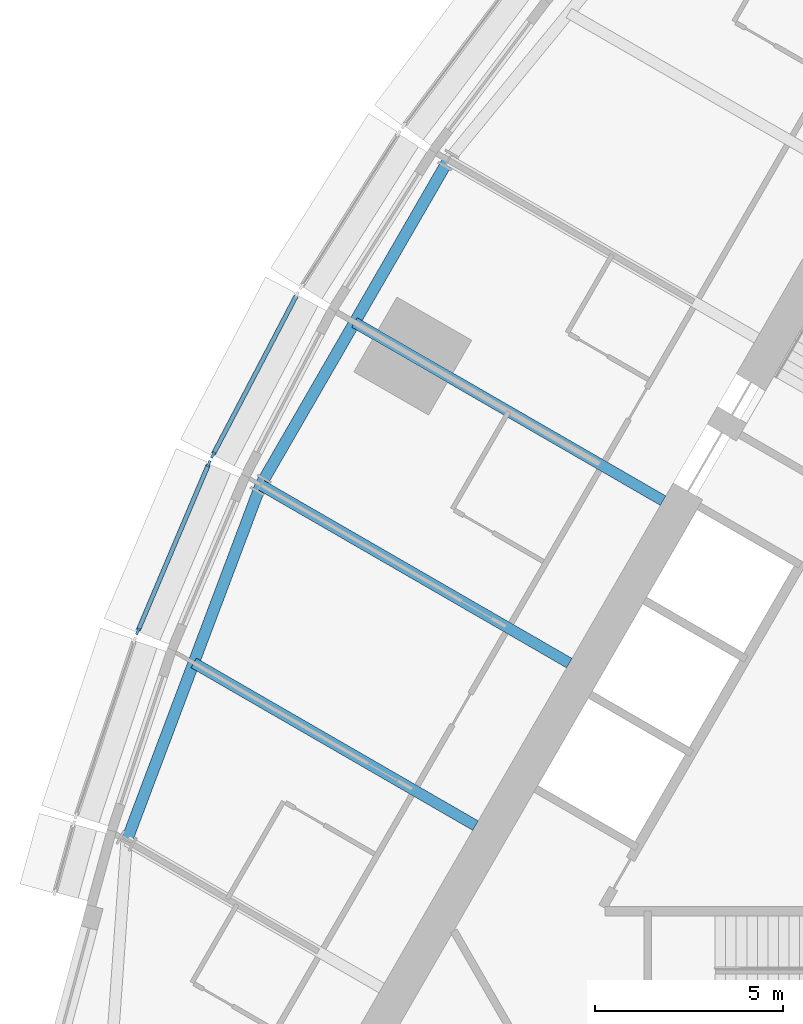
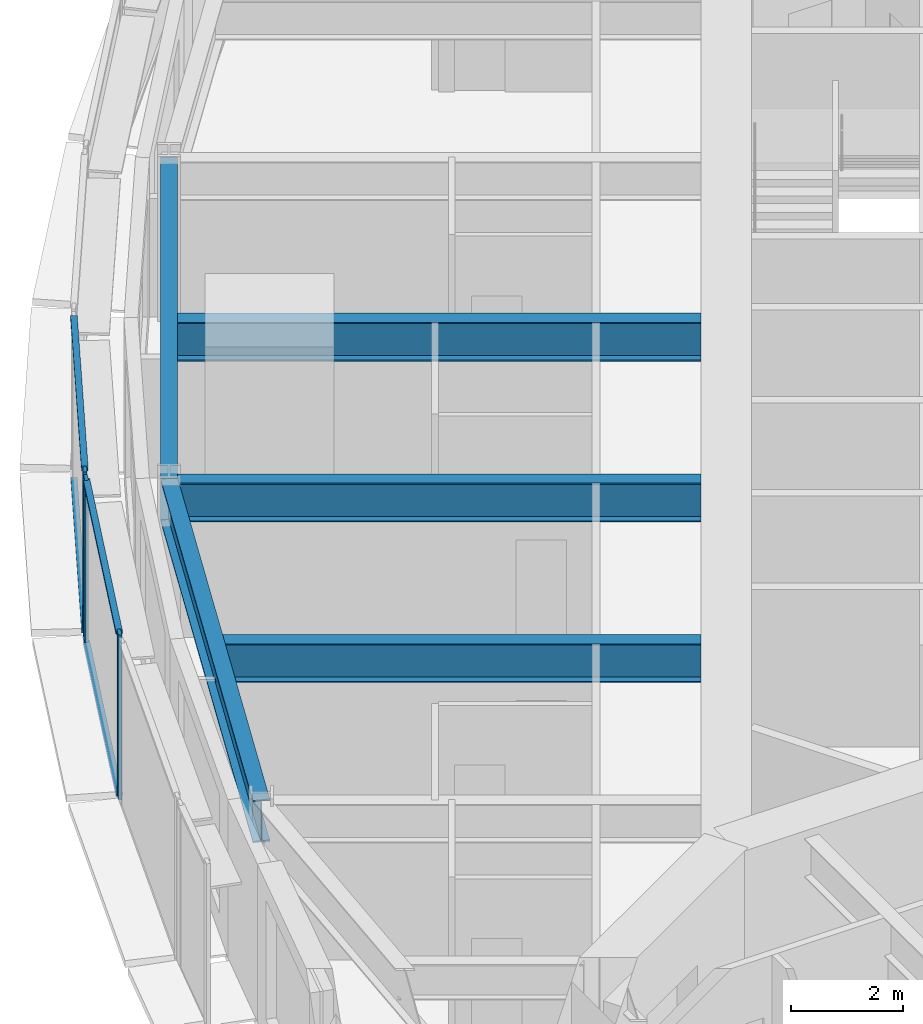
# One storey, part 3 of 15: 7 members, 5 beams, 2 elements without a shape of their own.
"""IFC4 building model written with IfcOpenShell, lengths in metres."""

from ifc_helpers import new_model, si_unit, direction, frame, origin, origin_2d, place, context, subcontext, project, spatial, rectangle, i_section, extrude, material, material_profile, profile_set, type_object, element, aggregate, save


model = new_model("IFC4")

# Units and contexts
model_context = context("Model", 3, precision=1e-05, world=origin(), true_north=direction((0.0, 1.0)))
body_context = subcontext(model_context, "Body", "Model", "MODEL_VIEW")
ifc_project = project(units=[si_unit("LENGTHUNIT", "METRE"), si_unit("AREAUNIT", "SQUARE_METRE"), si_unit("VOLUMEUNIT", "CUBIC_METRE"), si_unit("PLANEANGLEUNIT", "RADIAN"), si_unit("MASSUNIT", "GRAM", prefix="KILO")], contexts=[model_context])

# Site, building, storey
site_placement = place(None, origin())
site = spatial("IfcSite", under=ifc_project, at=site_placement, CompositionType="ELEMENT")
building_placement = place(site_placement, origin())
building = spatial("IfcBuilding", under=site, at=building_placement, Name="Trikona Tower", CompositionType="ELEMENT")
storey_placement = place(building_placement, frame((0.0, 0.0, 200.89990234375)))
storey = spatial("IfcBuildingStorey", under=building, at=storey_placement, Name="L53", CompositionType="ELEMENT", Elevation=200.89990234375)

# Curtain wall, member
ifc_material_1 = material(Name="Aluminium curtain wall system", Category="aluminium")
curtain_wall_type = type_object("IfcCurtainWallType", Name="Curtain wall DS3", PredefinedType="NOTDEFINED", material=ifc_material_1)
curtain_wall_1_placement = place(storey_placement, origin())
curtain_wall_1 = element("IfcCurtainWall", 1, at=curtain_wall_1_placement, inside=storey, type_object=curtain_wall_type, Name="Curtain wall DS3 L53", PredefinedType="NOTDEFINED")
ifc_material_2 = material(Name="Aluminium mullion, pale anodised", Category="aluminium")
ifc_material_profile_1 = material_profile(ifc_material_2, rectangle(XDim=0.070068359375, YDim=0.179931640625, at=origin_2d()), Name="MUL-DS3")
ifc_profile_set_1 = profile_set([ifc_material_profile_1], Name="Aluminium mullion, pale anodised")
member_type_1 = type_object("IfcMemberType", Name="Mullion DS3 70x180", PredefinedType="MULLION", material=ifc_profile_set_1)
member_1_placement = place(storey_placement, frame((-20.635986328125, 6.20751953125, 0.0), z_axis=(0.0, 0.0, 1.0), x_axis=(0.885862390527, -0.463948084434, 0.0)))
member_1 = element("IfcMember", 2, at=member_1_placement, type_object=member_type_1, Name="CW-DS3 mullion 2", PredefinedType="MULLION", context=body_context, shape_type="SweptSolid", body=[
    extrude(rectangle(XDim=0.070068359375, YDim=0.179931640625, at=origin_2d()), origin(), (0.0, 0.0, 1.0), 3.60009765625),
])

# Curtain wall, members
curtain_wall_2_placement = place(storey_placement, origin())
curtain_wall_2 = element("IfcCurtainWall", 3, at=curtain_wall_2_placement, inside=storey, type_object=curtain_wall_type, Name="Curtain wall DS3 L53", PredefinedType="NOTDEFINED")
member_2_placement = place(storey_placement, frame((-20.74853515625, 5.969482421875, 0.0), z_axis=(0.0, 0.0, 1.0), x_axis=(0.920792322808, -0.390053199266, 0.0)))
member_2 = element("IfcMember", 4, at=member_2_placement, type_object=member_type_1, Name="CW-DS3 mullion 1", PredefinedType="MULLION", context=body_context, shape_type="SweptSolid", body=[
    extrude(rectangle(XDim=0.070068359375, YDim=0.179931640625, at=origin_2d()), origin(), (0.0, 0.0, 1.0), 3.60009765625),
])
member_3_placement = place(storey_placement, frame((-22.6396484375, 1.50537109375, 0.0), z_axis=(0.0, 0.0, 1.0), x_axis=(0.920792322808, -0.390053199266, 0.0)))
member_3 = element("IfcMember", 5, at=member_3_placement, type_object=member_type_1, Name="CW-DS3 mullion 2", PredefinedType="MULLION", context=body_context, shape_type="SweptSolid", body=[
    extrude(rectangle(XDim=0.070068359375, YDim=0.179931640625, at=origin_2d()), origin(), (0.0, 0.0, 1.0), 3.60009765625),
])

# Beams
ifc_material_3 = material(Name="Steel ASTM A992 Grade 50", Category="steel")
ifc_material_profile_2 = material_profile(ifc_material_3, i_section(OverallWidth=0.2919921875, OverallDepth=0.845703125, WebThickness=0.015380859375, FlangeThickness=0.0244140625, at=origin_2d()), Name="W33X141")
ifc_profile_set_2 = profile_set([ifc_material_profile_2], Name="Steel ASTM A992 Grade 50")
beam_type_1 = type_object("IfcBeamType", Name="Steel beam W33x141 (radial typ)", PredefinedType="BEAM", material=ifc_profile_set_2)
for number, where, z_axis, x_axis, name in (
    (6, (-8.6396484375, 4.988037109375, 3.01220703125), (-0.866019464008, 0.500010287853, 0.0), (-0.500010287853, -0.866019464008, 0.0), "Floor beam L54 F3 u0"),
    (7, (-11.1396484375, 0.657958984375, 3.01220703125), (-0.866019464008, 0.500010287853, 0.0), (-0.500010287853, -0.866019464008, 0.0), "Floor beam L54 F3 u5"),
):
    element("IfcBeam", number, at=place(storey_placement, frame(where, z_axis=z_axis, x_axis=x_axis)), inside=storey, type_object=beam_type_1, Name=name, PredefinedType="BEAM", context=body_context, shape_type="SweptSolid", body=[
        extrude(i_section(OverallWidth=0.2919921875, OverallDepth=0.845703125, WebThickness=0.015380859375, FlangeThickness=0.0244140625, at=origin_2d()), origin(), (0.0, 0.0, 1.0), 9.495849609375),
    ])
beam_1_placement = place(storey_placement, frame((-13.6396484375, -3.672119140625, 3.01220703125), z_axis=(-0.866018686634, 0.500011634266, 0.0), x_axis=(-0.500011634266, -0.866018686634, 0.0)))
element("IfcBeam", 8, at=beam_1_placement, inside=storey, type_object=beam_type_1, Name="Floor beam L54 F3 u10", PredefinedType="BEAM", context=body_context, shape_type="SweptSolid", body=[
    extrude(i_section(OverallWidth=0.2919921875, OverallDepth=0.845703125, WebThickness=0.015380859375, FlangeThickness=0.0244140625, at=origin_2d()), origin(), (0.0, 0.0, 1.0), 8.672119140625),
])
ifc_material_4 = material(Name="Steel ASTM A992 Grade 50", Category="steel")
ifc_material_profile_3 = material_profile(ifc_material_4, i_section(OverallWidth=0.307373046875, OverallDepth=0.922119140625, WebThickness=0.018310546875, FlangeThickness=0.030029296875, at=origin_2d()), Name="W36X182")
ifc_profile_set_3 = profile_set([ifc_material_profile_3], Name="Steel ASTM A992 Grade 50")
beam_type_2 = type_object("IfcBeamType", Name="Steel beam W36x182 (spandrel mid)", PredefinedType="SPANDREL", material=ifc_profile_set_3)
beam_2_placement = place(storey_placement, frame((-14.36328125, 14.066162109375, 2.97412109375), z_axis=(-0.500004234368, -0.866022959057, 0.0), x_axis=(0.866022959057, -0.500004234368, 0.0)))
element("IfcBeam", 9, at=beam_2_placement, inside=storey, type_object=beam_type_2, Name="Spandrel beam L54 F3-3", PredefinedType="SPANDREL", context=body_context, shape_type="SweptSolid", body=[
    extrude(i_section(OverallWidth=0.307373046875, OverallDepth=0.922119140625, WebThickness=0.018310546875, FlangeThickness=0.030029296875, at=origin_2d()), origin(), (0.0, 0.0, 1.0), 10.0),
])
beam_3_placement = place(storey_placement, frame((-19.36328125, 5.406005859375, 2.97412109375), z_axis=(-0.352596088442, -0.935775613283, 0.0), x_axis=(0.935775613283, -0.352596088442, 0.0)))
element("IfcBeam", 10, at=beam_3_placement, inside=storey, type_object=beam_type_2, Name="Spandrel beam L54 F3-4", PredefinedType="SPANDREL", context=body_context, shape_type="SweptSolid", body=[
    extrude(i_section(OverallWidth=0.307373046875, OverallDepth=0.922119140625, WebThickness=0.018310546875, FlangeThickness=0.030029296875, at=origin_2d()), origin(), (0.0, 0.0, 1.0), 10.134765625),
])

# Member
ifc_material_5 = material(Name="Aluminium transom, pale anodised", Category="aluminium")
ifc_material_profile_4 = material_profile(ifc_material_5, rectangle(XDim=0.1201171875, YDim=0.070068359375, at=origin_2d()), Name="TRN-DS3")
ifc_profile_set_4 = profile_set([ifc_material_profile_4], Name="Aluminium transom, pale anodised")
member_type_2 = type_object("IfcMemberType", Name="Transom DS3 70x120", PredefinedType="USERDEFINED", material=ifc_profile_set_4)
member_4_placement = place(storey_placement, frame((-18.418701171875, 10.44140625, 0.03515625), z_axis=(-0.463910848027, -0.885881891158, 0.0), x_axis=(0.885881891158, -0.463910848027, 0.0)))
member_4 = element("IfcMember", 11, at=member_4_placement, type_object=member_type_2, Name="CW-DS3 transom 1.1", ObjectType="TRANSOM", PredefinedType="USERDEFINED", context=body_context, shape_type="SweptSolid", body=[
    extrude(rectangle(XDim=0.1201171875, YDim=0.070068359375, at=origin_2d()), origin(), (0.0, 0.0, 1.0), 4.744384765625),
])

member_5_placement = place(storey_placement, frame((-18.418701171875, 10.44140625, 3.565185546875), z_axis=(-0.463910848027, -0.885881891158, 0.0), x_axis=(0.885881891158, -0.463910848027, 0.0)))
member_5 = element("IfcMember", 12, at=member_5_placement, type_object=member_type_2, Name="CW-DS3 transom 1.2", ObjectType="TRANSOM", PredefinedType="USERDEFINED", context=body_context, shape_type="SweptSolid", body=[
    extrude(rectangle(XDim=0.1201171875, YDim=0.070068359375, at=origin_2d()), origin(), (0.0, 0.0, 1.0), 4.744384765625),
])

aggregate(curtain_wall_1, [member_1, member_4, member_5])

member_6_placement = place(storey_placement, frame((-20.76220703125, 5.937255859375, 0.03515625), z_axis=(-0.390061662668, -0.920788737614, 0.0), x_axis=(0.920788737614, -0.390061662668, 0.0)))
member_6 = element("IfcMember", 13, at=member_6_placement, type_object=member_type_2, Name="CW-DS3 transom 1.1", ObjectType="TRANSOM", PredefinedType="USERDEFINED", context=body_context, shape_type="SweptSolid", body=[
    extrude(rectangle(XDim=0.1201171875, YDim=0.070068359375, at=origin_2d()), origin(), (0.0, 0.0, 1.0), 4.778076171875),
])

member_7_placement = place(storey_placement, frame((-20.76220703125, 5.937255859375, 3.565185546875), z_axis=(-0.390061662668, -0.920788737614, 0.0), x_axis=(0.920788737614, -0.390061662668, 0.0)))
member_7 = element("IfcMember", 14, at=member_7_placement, type_object=member_type_2, Name="CW-DS3 transom 1.2", ObjectType="TRANSOM", PredefinedType="USERDEFINED", context=body_context, shape_type="SweptSolid", body=[
    extrude(rectangle(XDim=0.1201171875, YDim=0.070068359375, at=origin_2d()), origin(), (0.0, 0.0, 1.0), 4.778076171875),
])

aggregate(curtain_wall_2, [member_2, member_3, member_6, member_7])

save(model, "model.ifc")
